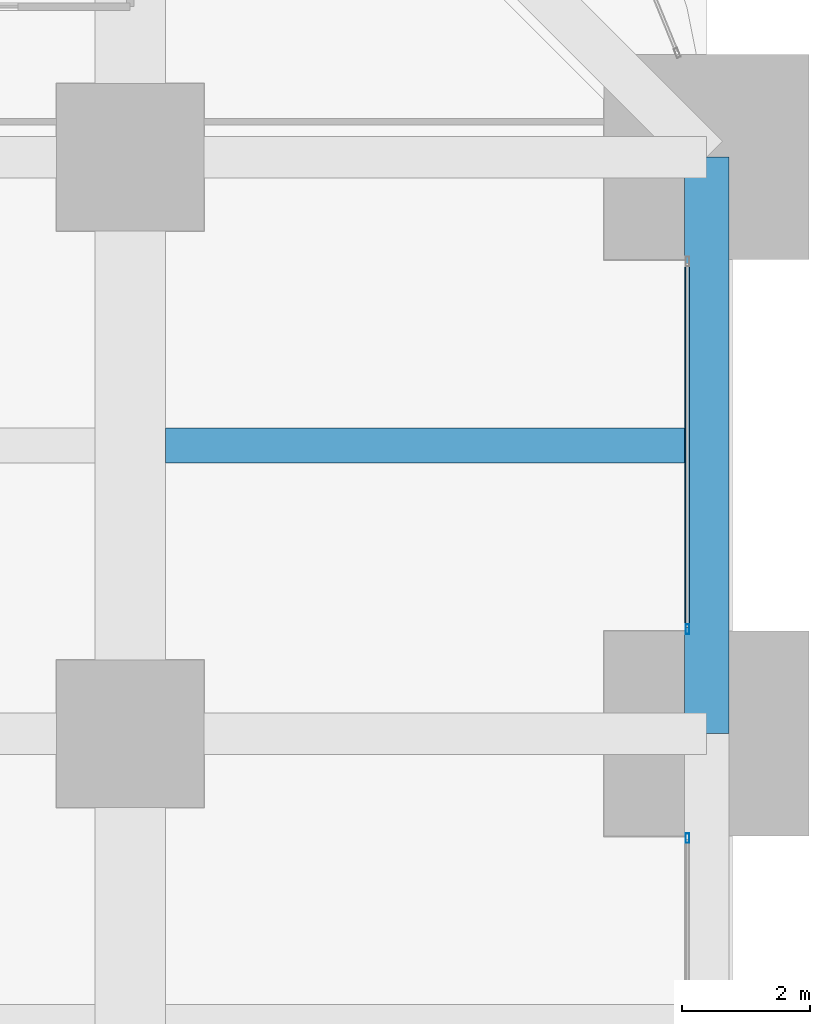
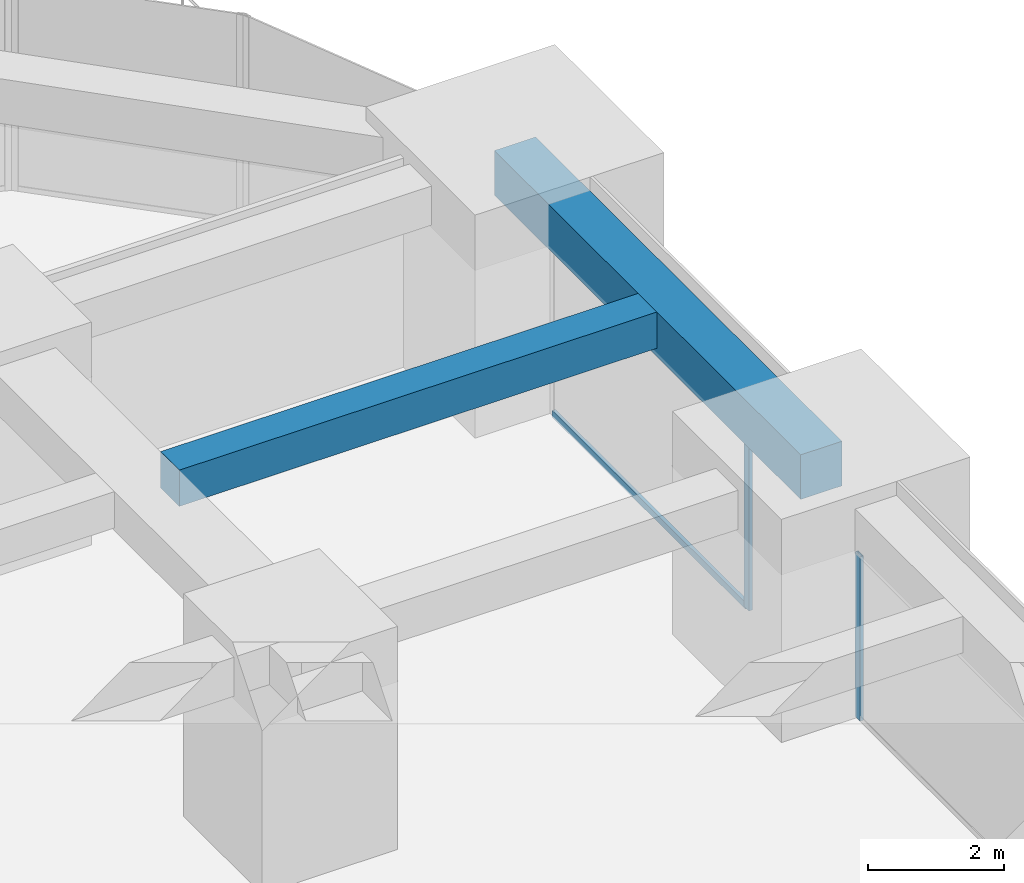
# One storey, part 23 of 50: 3 members, 2 beams, 2 elements without a shape of their own.
"""IFC4 building model written with IfcOpenShell, lengths in metres."""

from ifc_helpers import new_model, si_unit, direction, frame, origin, origin_2d, place, context, subcontext, project, spatial, rectangle, hollow_rectangle, extrude, material, material_profile, profile_set, type_object, element, aggregate, save


model = new_model("IFC4")

# Units and contexts
model_context = context("Model", 3, precision=1e-05, world=origin(), true_north=direction((0.0, 1.0)))
body_context = subcontext(model_context, "Body", "Model", "MODEL_VIEW")
ifc_project = project(units=[si_unit("LENGTHUNIT", "METRE"), si_unit("AREAUNIT", "SQUARE_METRE"), si_unit("VOLUMEUNIT", "CUBIC_METRE"), si_unit("PLANEANGLEUNIT", "RADIAN"), si_unit("MASSUNIT", "GRAM", prefix="KILO")], contexts=[model_context])

# Site, building, storey
site_placement = place(None, origin())
site = spatial("IfcSite", under=ifc_project, at=site_placement, CompositionType="ELEMENT")
building_placement = place(site_placement, origin())
building = spatial("IfcBuilding", under=site, at=building_placement, Name="Zorevar Civic Tower", CompositionType="ELEMENT")
storey_placement = place(building_placement, frame((0.0, 0.0, 85.0)))
storey = spatial("IfcBuildingStorey", under=building, at=storey_placement, Name="L20", CompositionType="ELEMENT", Elevation=85.0)

# Beam
ifc_material_1 = material(Name="Concrete C50/60", Category="concrete")
ifc_material_profile_1 = material_profile(ifc_material_1, rectangle(XDim=0.550048828125, YDim=0.64990234375, at=origin_2d()), Name="RC 550x650")
ifc_profile_set_1 = profile_set([ifc_material_profile_1], Name="Concrete C50/60")
beam_type_1 = type_object("IfcBeamType", Name="Beam RC 550x650", PredefinedType="BEAM", material=ifc_profile_set_1)
beam_1_placement = place(storey_placement, frame((54.550048828125, 31.5, 3.425048828125), z_axis=(1.0, 0.0, 0.0), x_axis=(0.0, 1.0, 0.0)))
element("IfcBeam", 1, at=beam_1_placement, inside=storey, type_object=beam_type_1, Name="Secondary beam L21", PredefinedType="BEAM", context=body_context, shape_type="SweptSolid", body=[
    extrude(rectangle(XDim=0.550048828125, YDim=0.64990234375, at=origin_2d()), origin(), (0.0, 0.0, 1.0), 8.099853515625),
])

# Curtain wall, member
ifc_material_2 = material(Name="Dark grey solar-control glass in black aluminium frame", Category="aluminium")
curtain_wall_type = type_object("IfcCurtainWallType", Name="Curtain wall CW3 mid zone", PredefinedType="NOTDEFINED", material=ifc_material_2)
curtain_wall_1_placement = place(storey_placement, origin())
curtain_wall_1 = element("IfcCurtainWall", 2, at=curtain_wall_1_placement, inside=storey, type_object=curtain_wall_type, Name="CW3 L20", PredefinedType="NOTDEFINED")
ifc_material_3 = material(Name="Aluminium, black anodised", Category="aluminium")
ifc_material_profile_2 = material_profile(ifc_material_3, hollow_rectangle(XDim=0.06005859375, YDim=0.14990234375, WallThickness=0.00390625, at=origin_2d()), Name="AL 150x60x4")
ifc_profile_set_2 = profile_set([ifc_material_profile_2], Name="Aluminium, black anodised")
member_type_1 = type_object("IfcMemberType", Name="CW3 mullion AL 150x60x4", PredefinedType="MULLION", material=ifc_profile_set_2)
member_1_placement = place(storey_placement, frame((62.699951171875, 25.3701171875, 0.0), z_axis=(0.0, 0.0, 1.0), x_axis=(-1.0, 0.0, 0.0)))
member_1 = element("IfcMember", 3, at=member_1_placement, type_object=member_type_1, Name="CW3 mullion 2", PredefinedType="MULLION", context=body_context, shape_type="SweptSolid", body=[
    extrude(hollow_rectangle(XDim=0.06005859375, YDim=0.14990234375, WallThickness=0.00390625, at=origin_2d()), origin(), (0.0, 0.0, 1.0), 2.949951171875),
])
aggregate(curtain_wall_1, [member_1])

# Curtain wall, members
curtain_wall_2_placement = place(storey_placement, origin())
curtain_wall_2 = element("IfcCurtainWall", 4, at=curtain_wall_2_placement, inside=storey, type_object=curtain_wall_type, Name="CW3 L20", PredefinedType="NOTDEFINED")
member_2_placement = place(storey_placement, frame((62.699951171875, 28.6298828125, 0.0), z_axis=(0.0, 0.0, 1.0), x_axis=(-1.0, 0.0, 0.0)))
member_2 = element("IfcMember", 5, at=member_2_placement, type_object=member_type_1, Name="CW3 mullion 1", PredefinedType="MULLION", context=body_context, shape_type="SweptSolid", body=[
    extrude(hollow_rectangle(XDim=0.06005859375, YDim=0.14990234375, WallThickness=0.00390625, at=origin_2d()), origin(), (0.0, 0.0, 1.0), 2.949951171875),
])
ifc_material_4 = material(Name="Aluminium, black anodised", Category="aluminium")
ifc_material_profile_3 = material_profile(ifc_material_4, hollow_rectangle(XDim=0.06005859375, YDim=0.1201171875, WallThickness=0.0029296875, at=origin_2d()), Name="AL 120x60x3")
ifc_profile_set_3 = profile_set([ifc_material_profile_3], Name="Aluminium, black anodised")
member_type_2 = type_object("IfcMemberType", Name="CW3 transom AL 120x60x3", PredefinedType="USERDEFINED", material=ifc_profile_set_3)
member_3_placement = place(storey_placement, frame((62.699951171875, 28.659912109375, 0.030029296875), z_axis=(0.0, 1.0, 0.0), x_axis=(-1.0, 0.0, 0.0)))
member_3 = element("IfcMember", 6, at=member_3_placement, type_object=member_type_2, Name="CW3 sill transom", ObjectType="TRANSOM", PredefinedType="USERDEFINED", context=body_context, shape_type="SweptSolid", body=[
    extrude(hollow_rectangle(XDim=0.06005859375, YDim=0.1201171875, WallThickness=0.0029296875, at=origin_2d()), origin(), (0.0, 0.0, 1.0), 5.68017578125),
])
aggregate(curtain_wall_2, [member_2, member_3])

# Beam
ifc_material_5 = material(Name="Concrete C50/60", Category="concrete")
ifc_material_profile_4 = material_profile(ifc_material_5, rectangle(XDim=0.699951171875, YDim=0.800048828125, at=origin_2d()), Name="RC 700x800")
ifc_profile_set_4 = profile_set([ifc_material_profile_4], Name="Concrete C50/60")
beam_type_2 = type_object("IfcBeamType", Name="Edge beam RC 700x800", PredefinedType="SPANDREL", material=ifc_profile_set_4)
beam_2_placement = place(storey_placement, frame((63.0, 27.0, 3.35009765625), z_axis=(0.0, 1.0, 0.0), x_axis=(-1.0, 0.0, 0.0)))
element("IfcBeam", 7, at=beam_2_placement, inside=storey, type_object=beam_type_2, Name="Edge beam L21", PredefinedType="SPANDREL", context=body_context, shape_type="SweptSolid", body=[
    extrude(rectangle(XDim=0.699951171875, YDim=0.800048828125, at=origin_2d()), origin(), (0.0, 0.0, 1.0), 9.0),
])

save(model, "model.ifc")
